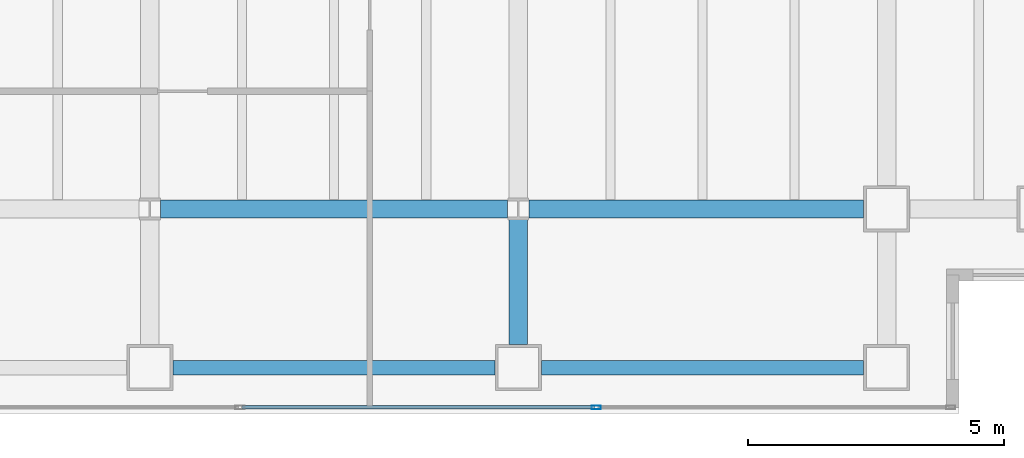
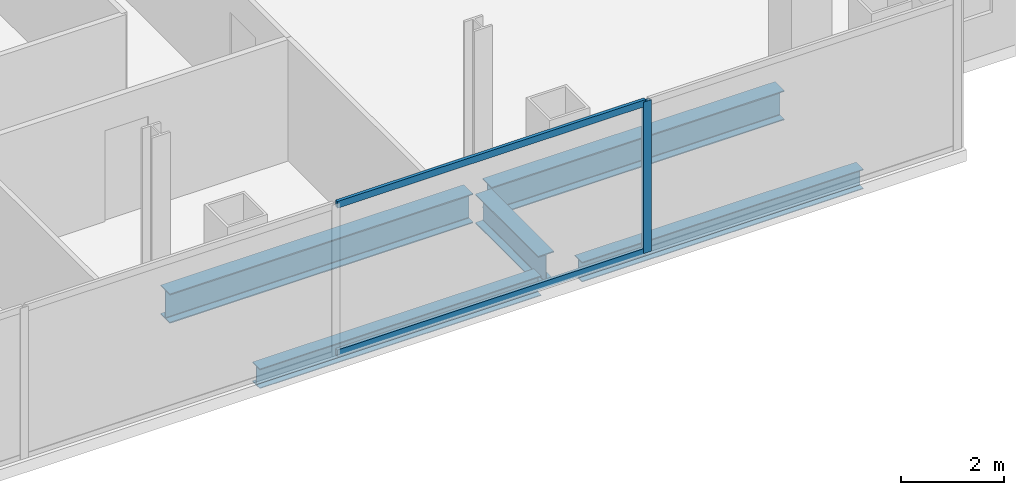
# One storey, part 9 of 23: 5 beams, 3 members, 1 element without a shape of its own.
"""IFC4 building model written with IfcOpenShell, lengths in metres."""

from ifc_helpers import new_model, si_unit, direction, frame, origin, origin_2d, place, context, subcontext, project, spatial, hollow_rectangle, i_section, extrude, material, material_profile, profile_set, type_object, element, aggregate, save


model = new_model("IFC4")

# Units and contexts
model_context = context("Model", 3, precision=1e-05, world=origin(), true_north=direction((0.0, 1.0)))
body_context = subcontext(model_context, "Body", "Model", "MODEL_VIEW")
ifc_project = project(units=[si_unit("LENGTHUNIT", "METRE"), si_unit("AREAUNIT", "SQUARE_METRE"), si_unit("VOLUMEUNIT", "CUBIC_METRE"), si_unit("PLANEANGLEUNIT", "RADIAN"), si_unit("MASSUNIT", "GRAM", prefix="KILO")], contexts=[model_context])

# Site, building, storey
site_placement = place(None, origin())
site = spatial("IfcSite", under=ifc_project, at=site_placement, CompositionType="ELEMENT")
building_placement = place(site_placement, origin())
building = spatial("IfcBuilding", under=site, at=building_placement, Name="Cobrela Telecom Tower", CompositionType="ELEMENT")
storey_placement = place(building_placement, frame((0.0, 0.0, 144.550048828125)))
storey = spatial("IfcBuildingStorey", under=building, at=storey_placement, Name="L36", CompositionType="ELEMENT", Elevation=144.550048828125)

# Beams
ifc_material_1 = material(Name="Steel ASTM A992 Grade 50", Category="steel")
ifc_material_profile_1 = material_profile(ifc_material_1, i_section(OverallWidth=0.35595703125, OverallDepth=0.696044921875, WebThickness=0.015380859375, FlangeThickness=0.024658203125, FilletRadius=0.01806640625, at=origin_2d()), Name="W27X146")
ifc_profile_set_1 = profile_set([ifc_material_profile_1], Name="Steel ASTM A992 Grade 50")
beam_type_1 = type_object("IfcBeamType", Name="BM-GIRD-05", PredefinedType="USERDEFINED", material=ifc_profile_set_1)
beam_1_placement = place(storey_placement, frame((29.009521484375, 7.199951171875, -0.6181640625), z_axis=(1.0, 0.0, 0.0), x_axis=(0.0, 1.0, 0.0)))
element("IfcBeam", 1, at=beam_1_placement, inside=storey, type_object=beam_type_1, Name="L36 Primary Girder X10", ObjectType="GIRDER", PredefinedType="USERDEFINED", context=body_context, shape_type="SweptSolid", body=[
    extrude(i_section(OverallWidth=0.35595703125, OverallDepth=0.696044921875, WebThickness=0.015380859375, FlangeThickness=0.024658203125, FilletRadius=0.01806640625, at=origin_2d()), origin(), (0.0, 0.0, 1.0), 6.781005859375),
])
beam_2_placement = place(storey_placement, frame((36.20947265625, 7.199951171875, -0.6181640625), z_axis=(1.0, 0.0, 0.0), x_axis=(0.0, 1.0, 0.0)))
element("IfcBeam", 2, at=beam_2_placement, inside=storey, type_object=beam_type_1, Name="L36 Primary Girder X11", ObjectType="GIRDER", PredefinedType="USERDEFINED", context=body_context, shape_type="SweptSolid", body=[
    extrude(i_section(OverallWidth=0.35595703125, OverallDepth=0.696044921875, WebThickness=0.015380859375, FlangeThickness=0.024658203125, FilletRadius=0.01806640625, at=origin_2d()), origin(), (0.0, 0.0, 1.0), 6.53564453125),
])
beam_3_placement = place(storey_placement, frame((36.0, 4.554931640625, -0.6181640625), z_axis=(0.0, 1.0, 0.0), x_axis=(-1.0, 0.0, 0.0)))
element("IfcBeam", 3, at=beam_3_placement, inside=storey, type_object=beam_type_1, Name="L36 Primary Girder Y49", ObjectType="GIRDER", PredefinedType="USERDEFINED", context=body_context, shape_type="SweptSolid", body=[
    extrude(i_section(OverallWidth=0.35595703125, OverallDepth=0.696044921875, WebThickness=0.015380859375, FlangeThickness=0.024658203125, FilletRadius=0.01806640625, at=origin_2d()), origin(), (0.0, 0.0, 1.0), 2.435546875),
])
ifc_material_profile_2 = material_profile(ifc_material_1, i_section(OverallWidth=0.281982421875, OverallDepth=0.467041015625, WebThickness=0.01220703125, FlangeThickness=0.01953125, FilletRadius=0.012939453125, at=origin_2d()), Name="W18X86")
ifc_profile_set_2 = profile_set([ifc_material_profile_2], Name="Steel ASTM A992 Grade 50")
beam_type_2 = type_object("IfcBeamType", Name="BM-SPAND-04", PredefinedType="SPANDREL", material=ifc_profile_set_2)
for number, where, z_axis, x_axis, name in (
    (4, (29.2548828125, 4.10009765625, -0.503662109375), (1.0, 0.0, 0.0), (0.0, 1.0, 0.0), "L36 Perimeter Spandrel X04"),
    (5, (36.455078125, 4.10009765625, -0.503662109375), (1.0, 0.0, 0.0), (0.0, 1.0, 0.0), "L36 Perimeter Spandrel X05"),
):
    element("IfcBeam", number, at=place(storey_placement, frame(where, z_axis=z_axis, x_axis=x_axis)), inside=storey, type_object=beam_type_2, Name=name, PredefinedType="SPANDREL", context=body_context, shape_type="SweptSolid", body=[
        extrude(i_section(OverallWidth=0.281982421875, OverallDepth=0.467041015625, WebThickness=0.01220703125, FlangeThickness=0.01953125, FilletRadius=0.012939453125, at=origin_2d()), origin(), (0.0, 0.0, 1.0), 6.2900390625),
    ])

# Curtain wall, members
ifc_material_2 = material(Name="Anodized Bronze Aluminium 6063-T6", Category="aluminium")
curtain_wall_type = type_object("IfcCurtainWallType", Name="CW-SYS-TEL", PredefinedType="USERDEFINED", material=ifc_material_2)
curtain_wall_placement = place(storey_placement, origin())
curtain_wall = element("IfcCurtainWall", 6, at=curtain_wall_placement, inside=storey, type_object=curtain_wall_type, Name="L36 Unitised Bronze Curtain Wall 17", ObjectType="UNITISED CURTAIN WALL", PredefinedType="USERDEFINED")
ifc_material_profile_3 = material_profile(ifc_material_2, hollow_rectangle(XDim=0.074951171875, YDim=0.179931640625, WallThickness=0.00390625, at=origin_2d()), Name="ALU 75x180x4")
ifc_profile_set_3 = profile_set([ifc_material_profile_3], Name="Anodized Bronze Aluminium 6063-T6")
member_type_1 = type_object("IfcMemberType", Name="CW-SYS-TEL-MUL", PredefinedType="MULLION", material=ifc_profile_set_3)
member_1_placement = place(storey_placement, frame((37.526611328125, 3.320068359375, 0.0), z_axis=(0.0, 0.0, 1.0), x_axis=(0.0, -1.0, 0.0)))
member_1 = element("IfcMember", 7, at=member_1_placement, type_object=member_type_1, Name="CW-TEL mullion 2", PredefinedType="MULLION", context=body_context, shape_type="SweptSolid", body=[
    extrude(hollow_rectangle(XDim=0.074951171875, YDim=0.179931640625, WallThickness=0.00390625, at=origin_2d()), origin(), (0.0, 0.0, 1.0), 3.579833984375),
])
ifc_material_profile_4 = material_profile(ifc_material_2, hollow_rectangle(XDim=0.070068359375, YDim=0.159912109375, WallThickness=0.00390625, at=origin_2d()), Name="ALU 70x160x4")
ifc_profile_set_4 = profile_set([ifc_material_profile_4], Name="Anodized Bronze Aluminium 6063-T6")
member_type_2 = type_object("IfcMemberType", Name="CW-SYS-TEL-TRN", PredefinedType="USERDEFINED", material=ifc_profile_set_4)
member_2_placement = place(storey_placement, frame((37.4892578125, 3.320068359375, 0.034912109375), z_axis=(-1.0, 0.0, 0.0), x_axis=(0.0, -1.0, 0.0)))
member_2 = element("IfcMember", 8, at=member_2_placement, type_object=member_type_2, Name="CW-TEL transom 2.1", ObjectType="TRANSOM", PredefinedType="USERDEFINED", context=body_context, shape_type="SweptSolid", body=[
    extrude(hollow_rectangle(XDim=0.070068359375, YDim=0.159912109375, WallThickness=0.00390625, at=origin_2d()), origin(), (0.0, 0.0, 1.0), 6.888427734375),
])
member_3_placement = place(storey_placement, frame((37.4892578125, 3.320068359375, 3.544921875), z_axis=(-1.0, 0.0, 0.0), x_axis=(0.0, -1.0, 0.0)))
member_3 = element("IfcMember", 9, at=member_3_placement, type_object=member_type_2, Name="CW-TEL transom 2.2", ObjectType="TRANSOM", PredefinedType="USERDEFINED", context=body_context, shape_type="SweptSolid", body=[
    extrude(hollow_rectangle(XDim=0.070068359375, YDim=0.159912109375, WallThickness=0.00390625, at=origin_2d()), origin(), (0.0, 0.0, 1.0), 6.888427734375),
])
aggregate(curtain_wall, [member_1, member_2, member_3])

save(model, "model.ifc")
